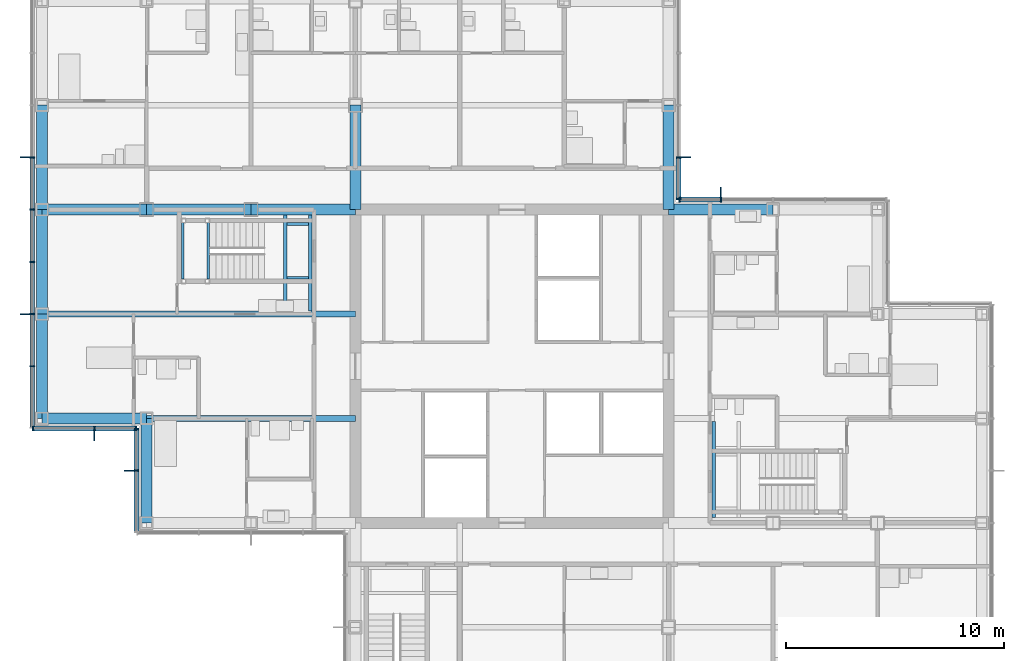
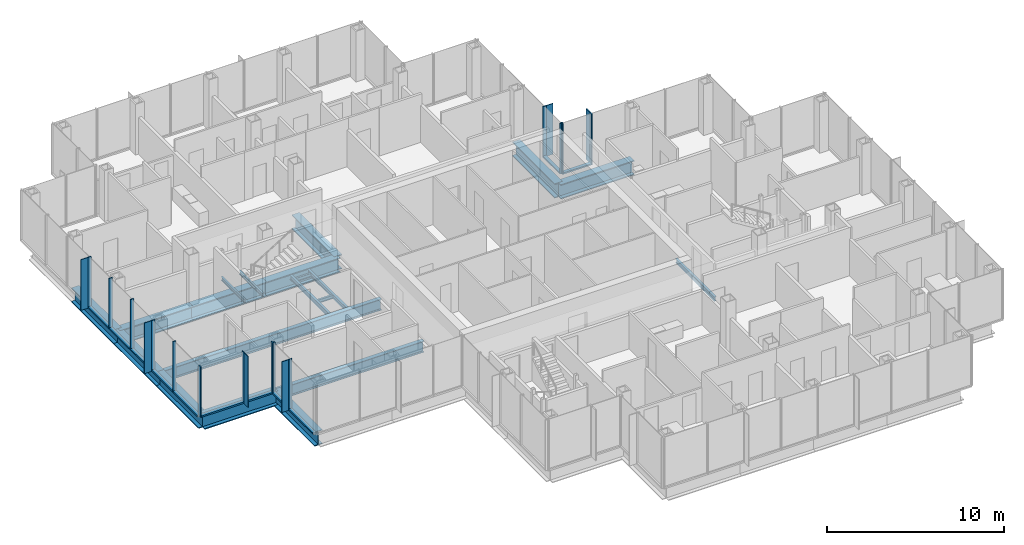
# One storey, part 7 of 20: 31 members, 20 beams, 5 elements without a shape of their own.
"""IFC4 building model written with IfcOpenShell, lengths in metres."""

from ifc_helpers import new_model, si_unit, direction, frame, origin, origin_2d, place, context, subcontext, project, spatial, rectangle, i_section, extrude, material, material_profile, profile_set, type_object, element, aggregate, save


model = new_model("IFC4")

# Units and contexts
model_context = context("Model", 3, precision=1e-05, world=origin(), true_north=direction((0.0, 1.0)))
body_context = subcontext(model_context, "Body", "Model", "MODEL_VIEW")
ifc_project = project(units=[si_unit("LENGTHUNIT", "METRE"), si_unit("AREAUNIT", "SQUARE_METRE"), si_unit("VOLUMEUNIT", "CUBIC_METRE"), si_unit("PLANEANGLEUNIT", "RADIAN"), si_unit("MASSUNIT", "GRAM", prefix="KILO")], contexts=[model_context])

# Site, building, storey
site_placement = place(None, origin())
site = spatial("IfcSite", under=ifc_project, at=site_placement, CompositionType="ELEMENT")
building_placement = place(site_placement, origin())
building = spatial("IfcBuilding", under=site, at=building_placement, Name="Kvirike Care Tower", CompositionType="ELEMENT")
storey_placement = place(building_placement, frame((0.0, 0.0, 119.0)))
storey = spatial("IfcBuildingStorey", under=building, at=storey_placement, Name="L32", CompositionType="ELEMENT", Elevation=119.0)

# Curtain wall, member
ifc_material_1 = material(Name="Anodised aluminium stick system", Category="aluminium")
curtain_wall_type = type_object("IfcCurtainWallType", Name="CW-B STICK CURTAIN WALL", PredefinedType="NOTDEFINED", material=ifc_material_1)
curtain_wall_1_placement = place(storey_placement, origin())
curtain_wall_1 = element("IfcCurtainWall", 1, at=curtain_wall_1_placement, inside=storey, type_object=curtain_wall_type, Name="Curtain wall L32 face 4", PredefinedType="NOTDEFINED")
ifc_material_2 = material(Name="Bronze anodised aluminium fin", Category="aluminium")
ifc_material_profile_1 = material_profile(ifc_material_2, rectangle(XDim=0.050048828125, YDim=0.449951171875, at=origin_2d()), Name="BRONZE FIN 450")
ifc_profile_set_1 = profile_set([ifc_material_profile_1], Name="Bronze anodised aluminium fin")
member_type_1 = type_object("IfcMemberType", Name="BRONZE FIN 450", PredefinedType="USERDEFINED", material=ifc_profile_set_1)
member_1_placement = place(storey_placement, frame((31.199951171875, 43.9951171875, 0.0), z_axis=(0.0, 0.0, 1.0), x_axis=(-1.0, 0.0, 0.0)))
member_1 = element("IfcMember", 2, at=member_1_placement, type_object=member_type_1, Name="Bronze fin L32 face 4.4", ObjectType="FIN", PredefinedType="USERDEFINED", context=body_context, shape_type="SweptSolid", body=[
    extrude(rectangle(XDim=0.050048828125, YDim=0.449951171875, at=origin_2d()), origin(), (0.0, 0.0, 1.0), 3.5),
])

curtain_wall_2_placement = place(storey_placement, origin())
curtain_wall_2 = element("IfcCurtainWall", 3, at=curtain_wall_2_placement, inside=storey, type_object=curtain_wall_type, Name="Curtain wall L32 face 5", PredefinedType="NOTDEFINED")
member_2_placement = place(storey_placement, frame((29.594970703125, 45.60009765625, 0.0), z_axis=(0.0, 0.0, 1.0), x_axis=(0.0, 1.0, 0.0)))
member_2 = element("IfcMember", 4, at=member_2_placement, type_object=member_type_1, Name="Bronze fin L32 face 5.2", ObjectType="FIN", PredefinedType="USERDEFINED", context=body_context, shape_type="SweptSolid", body=[
    extrude(rectangle(XDim=0.050048828125, YDim=0.449951171875, at=origin_2d()), origin(), (0.0, 0.0, 1.0), 3.5),
])

# Curtain wall, members
curtain_wall_3_placement = place(storey_placement, origin())
curtain_wall_3 = element("IfcCurtainWall", 5, at=curtain_wall_3_placement, inside=storey, type_object=curtain_wall_type, Name="Curtain wall L32 face 11", PredefinedType="NOTDEFINED")
member_3_placement = place(storey_placement, frame((-0.794921875, 45.60009765625, 0.0), z_axis=(0.0, 0.0, 1.0), x_axis=(0.0, -1.0, 0.0)))
member_3 = element("IfcMember", 6, at=member_3_placement, type_object=member_type_1, Name="Bronze fin L32 face 11.4", ObjectType="FIN", PredefinedType="USERDEFINED", context=body_context, shape_type="SweptSolid", body=[
    extrude(rectangle(XDim=0.050048828125, YDim=0.449951171875, at=origin_2d()), origin(), (0.0, 0.0, 1.0), 3.5),
])
member_4_placement = place(storey_placement, frame((-0.794921875, 38.39990234375, 0.0), z_axis=(0.0, 0.0, 1.0), x_axis=(0.0, -1.0, 0.0)))
member_4 = element("IfcMember", 7, at=member_4_placement, type_object=member_type_1, Name="Bronze fin L32 face 11.7", ObjectType="FIN", PredefinedType="USERDEFINED", context=body_context, shape_type="SweptSolid", body=[
    extrude(rectangle(XDim=0.050048828125, YDim=0.449951171875, at=origin_2d()), origin(), (0.0, 0.0, 1.0), 3.5),
])

# Curtain wall, member
curtain_wall_4_placement = place(storey_placement, origin())
curtain_wall_4 = element("IfcCurtainWall", 8, at=curtain_wall_4_placement, inside=storey, type_object=curtain_wall_type, Name="Curtain wall L32 face 12", PredefinedType="NOTDEFINED")
member_5_placement = place(storey_placement, frame((2.39990234375, 32.804931640625, 0.0), z_axis=(0.0, 0.0, 1.0), x_axis=(1.0, 0.0, 0.0)))
member_5 = element("IfcMember", 9, at=member_5_placement, type_object=member_type_1, Name="Bronze fin L32 face 12.2", ObjectType="FIN", PredefinedType="USERDEFINED", context=body_context, shape_type="SweptSolid", body=[
    extrude(rectangle(XDim=0.050048828125, YDim=0.449951171875, at=origin_2d()), origin(), (0.0, 0.0, 1.0), 3.5),
])

curtain_wall_5_placement = place(storey_placement, origin())
curtain_wall_5 = element("IfcCurtainWall", 10, at=curtain_wall_5_placement, inside=storey, type_object=curtain_wall_type, Name="Curtain wall L32 face 13", PredefinedType="NOTDEFINED")
member_6_placement = place(storey_placement, frame((4.0048828125, 31.199951171875, 0.0), z_axis=(0.0, 0.0, 1.0), x_axis=(0.0, -1.0, 0.0)))
member_6 = element("IfcMember", 11, at=member_6_placement, type_object=member_type_1, Name="Bronze fin L32 face 13.2", ObjectType="FIN", PredefinedType="USERDEFINED", context=body_context, shape_type="SweptSolid", body=[
    extrude(rectangle(XDim=0.050048828125, YDim=0.449951171875, at=origin_2d()), origin(), (0.0, 0.0, 1.0), 3.5),
])

# Member
ifc_material_3 = material(Name="Bronze anodised aluminium mullion", Category="aluminium")
ifc_material_profile_2 = material_profile(ifc_material_3, rectangle(XDim=0.06494140625, YDim=0.219970703125, at=origin_2d()), Name="CW-B MULLION 65x220")
ifc_profile_set_2 = profile_set([ifc_material_profile_2], Name="Bronze anodised aluminium mullion")
member_type_2 = type_object("IfcMemberType", Name="CW-B MULLION 65x220", PredefinedType="MULLION", material=ifc_profile_set_2)
member_7_placement = place(storey_placement, frame((31.199951171875, 43.659912109375, 0.0), z_axis=(0.0, 0.0, 1.0), x_axis=(-1.0, 0.0, 0.0)))
member_7 = element("IfcMember", 12, at=member_7_placement, type_object=member_type_2, Name="CW-B mullion L32 face 4.4", PredefinedType="MULLION", context=body_context, shape_type="SweptSolid", body=[
    extrude(rectangle(XDim=0.06494140625, YDim=0.219970703125, at=origin_2d()), origin(), (0.0, 0.0, 1.0), 3.5),
])

member_8_placement = place(storey_placement, frame((29.29248046875, 43.659912109375, 0.0), z_axis=(0.0, 0.0, 1.0), x_axis=(-1.0, 0.0, 0.0)))
member_8 = element("IfcMember", 13, at=member_8_placement, type_object=member_type_2, Name="CW-B mullion L32 face 4.5", PredefinedType="MULLION", context=body_context, shape_type="SweptSolid", body=[
    extrude(rectangle(XDim=0.06494140625, YDim=0.219970703125, at=origin_2d()), origin(), (0.0, 0.0, 1.0), 3.5),
])

member_9_placement = place(storey_placement, frame((29.260009765625, 43.6923828125, 0.0), z_axis=(0.0, 0.0, 1.0), x_axis=(0.0, 1.0, 0.0)))
member_9 = element("IfcMember", 14, at=member_9_placement, type_object=member_type_2, Name="CW-B mullion L32 face 5.1", PredefinedType="MULLION", context=body_context, shape_type="SweptSolid", body=[
    extrude(rectangle(XDim=0.06494140625, YDim=0.219970703125, at=origin_2d()), origin(), (0.0, 0.0, 1.0), 3.5),
])

member_10_placement = place(storey_placement, frame((29.260009765625, 45.60009765625, 0.0), z_axis=(0.0, 0.0, 1.0), x_axis=(0.0, 1.0, 0.0)))
member_10 = element("IfcMember", 15, at=member_10_placement, type_object=member_type_2, Name="CW-B mullion L32 face 5.2", PredefinedType="MULLION", context=body_context, shape_type="SweptSolid", body=[
    extrude(rectangle(XDim=0.06494140625, YDim=0.219970703125, at=origin_2d()), origin(), (0.0, 0.0, 1.0), 3.5),
])

member_11_placement = place(storey_placement, frame((-0.4599609375, 45.60009765625, 0.0), z_axis=(0.0, 0.0, 1.0), x_axis=(0.0, -1.0, 0.0)))
member_11 = element("IfcMember", 16, at=member_11_placement, type_object=member_type_2, Name="CW-B mullion L32 face 11.4", PredefinedType="MULLION", context=body_context, shape_type="SweptSolid", body=[
    extrude(rectangle(XDim=0.06494140625, YDim=0.219970703125, at=origin_2d()), origin(), (0.0, 0.0, 1.0), 3.5),
])

member_12_placement = place(storey_placement, frame((-0.4599609375, 43.199951171875, 0.0), z_axis=(0.0, 0.0, 1.0), x_axis=(0.0, -1.0, 0.0)))
member_12 = element("IfcMember", 17, at=member_12_placement, type_object=member_type_2, Name="CW-B mullion L32 face 11.5", PredefinedType="MULLION", context=body_context, shape_type="SweptSolid", body=[
    extrude(rectangle(XDim=0.06494140625, YDim=0.219970703125, at=origin_2d()), origin(), (0.0, 0.0, 1.0), 3.5),
])

member_13_placement = place(storey_placement, frame((-0.4599609375, 40.800048828125, 0.0), z_axis=(0.0, 0.0, 1.0), x_axis=(0.0, -1.0, 0.0)))
member_13 = element("IfcMember", 18, at=member_13_placement, type_object=member_type_2, Name="CW-B mullion L32 face 11.6", PredefinedType="MULLION", context=body_context, shape_type="SweptSolid", body=[
    extrude(rectangle(XDim=0.06494140625, YDim=0.219970703125, at=origin_2d()), origin(), (0.0, 0.0, 1.0), 3.5),
])

member_14_placement = place(storey_placement, frame((-0.4599609375, 38.39990234375, 0.0), z_axis=(0.0, 0.0, 1.0), x_axis=(0.0, -1.0, 0.0)))
member_14 = element("IfcMember", 19, at=member_14_placement, type_object=member_type_2, Name="CW-B mullion L32 face 11.7", PredefinedType="MULLION", context=body_context, shape_type="SweptSolid", body=[
    extrude(rectangle(XDim=0.06494140625, YDim=0.219970703125, at=origin_2d()), origin(), (0.0, 0.0, 1.0), 3.5),
])

member_15_placement = place(storey_placement, frame((-0.4599609375, 36.0, 0.0), z_axis=(0.0, 0.0, 1.0), x_axis=(0.0, -1.0, 0.0)))
member_15 = element("IfcMember", 20, at=member_15_placement, type_object=member_type_2, Name="CW-B mullion L32 face 11.8", PredefinedType="MULLION", context=body_context, shape_type="SweptSolid", body=[
    extrude(rectangle(XDim=0.06494140625, YDim=0.219970703125, at=origin_2d()), origin(), (0.0, 0.0, 1.0), 3.5),
])

member_16_placement = place(storey_placement, frame((-0.427490234375, 33.139892578125, 0.0), z_axis=(0.0, 0.0, 1.0), x_axis=(1.0, 0.0, 0.0)))
member_16 = element("IfcMember", 21, at=member_16_placement, type_object=member_type_2, Name="CW-B mullion L32 face 12.1", PredefinedType="MULLION", context=body_context, shape_type="SweptSolid", body=[
    extrude(rectangle(XDim=0.06494140625, YDim=0.219970703125, at=origin_2d()), origin(), (0.0, 0.0, 1.0), 3.5),
])

member_17_placement = place(storey_placement, frame((2.39990234375, 33.139892578125, 0.0), z_axis=(0.0, 0.0, 1.0), x_axis=(1.0, 0.0, 0.0)))
member_17 = element("IfcMember", 22, at=member_17_placement, type_object=member_type_2, Name="CW-B mullion L32 face 12.2", PredefinedType="MULLION", context=body_context, shape_type="SweptSolid", body=[
    extrude(rectangle(XDim=0.06494140625, YDim=0.219970703125, at=origin_2d()), origin(), (0.0, 0.0, 1.0), 3.5),
])

member_18_placement = place(storey_placement, frame((4.3076171875, 33.139892578125, 0.0), z_axis=(0.0, 0.0, 1.0), x_axis=(1.0, 0.0, 0.0)))
member_18 = element("IfcMember", 23, at=member_18_placement, type_object=member_type_2, Name="CW-B mullion L32 face 12.3", PredefinedType="MULLION", context=body_context, shape_type="SweptSolid", body=[
    extrude(rectangle(XDim=0.06494140625, YDim=0.219970703125, at=origin_2d()), origin(), (0.0, 0.0, 1.0), 3.5),
])

member_19_placement = place(storey_placement, frame((4.340087890625, 33.107421875, 0.0), z_axis=(0.0, 0.0, 1.0), x_axis=(0.0, -1.0, 0.0)))
member_19 = element("IfcMember", 24, at=member_19_placement, type_object=member_type_2, Name="CW-B mullion L32 face 13.1", PredefinedType="MULLION", context=body_context, shape_type="SweptSolid", body=[
    extrude(rectangle(XDim=0.06494140625, YDim=0.219970703125, at=origin_2d()), origin(), (0.0, 0.0, 1.0), 3.5),
])

member_20_placement = place(storey_placement, frame((4.340087890625, 31.199951171875, 0.0), z_axis=(0.0, 0.0, 1.0), x_axis=(0.0, -1.0, 0.0)))
member_20 = element("IfcMember", 25, at=member_20_placement, type_object=member_type_2, Name="CW-B mullion L32 face 13.2", PredefinedType="MULLION", context=body_context, shape_type="SweptSolid", body=[
    extrude(rectangle(XDim=0.06494140625, YDim=0.219970703125, at=origin_2d()), origin(), (0.0, 0.0, 1.0), 3.5),
])

ifc_material_4 = material(Name="Bronze anodised aluminium transom", Category="aluminium")
ifc_material_profile_3 = material_profile(ifc_material_4, rectangle(XDim=0.219970703125, YDim=0.10009765625, at=origin_2d()), Name="CW-B TRANSOM 220x100")
ifc_profile_set_3 = profile_set([ifc_material_profile_3], Name="Bronze anodised aluminium transom")
member_type_3 = type_object("IfcMemberType", Name="CW-B TRANSOM 220x100", PredefinedType="USERDEFINED", material=ifc_profile_set_3)
member_21_placement = place(storey_placement, frame((31.16748046875, 43.659912109375, 0.050048828125), z_axis=(-1.0, 0.0, 0.0), x_axis=(0.0, -1.0, 0.0)))
member_21 = element("IfcMember", 26, at=member_21_placement, type_object=member_type_3, Name="CW-B sill transom L32 face 4.4", ObjectType="TRANSOM", PredefinedType="USERDEFINED", context=body_context, shape_type="SweptSolid", body=[
    extrude(rectangle(XDim=0.219970703125, YDim=0.10009765625, at=origin_2d()), origin(), (0.0, 0.0, 1.0), 1.842529296875),
])

aggregate(curtain_wall_1, [member_7, member_1, member_8, member_21])

member_22_placement = place(storey_placement, frame((29.260009765625, 43.72509765625, 0.050048828125), z_axis=(0.0, 1.0, 0.0), x_axis=(-1.0, 0.0, 0.0)))
member_22 = element("IfcMember", 27, at=member_22_placement, type_object=member_type_3, Name="CW-B sill transom L32 face 5.1", ObjectType="TRANSOM", PredefinedType="USERDEFINED", context=body_context, shape_type="SweptSolid", body=[
    extrude(rectangle(XDim=0.219970703125, YDim=0.10009765625, at=origin_2d()), origin(), (0.0, 0.0, 1.0), 1.84228515625),
])

aggregate(curtain_wall_2, [member_9, member_10, member_2, member_22])

member_23_placement = place(storey_placement, frame((-0.4599609375, 45.5673828125, 0.050048828125), z_axis=(0.0, -1.0, 0.0), x_axis=(1.0, 0.0, 0.0)))
member_23 = element("IfcMember", 28, at=member_23_placement, type_object=member_type_3, Name="CW-B sill transom L32 face 11.4", ObjectType="TRANSOM", PredefinedType="USERDEFINED", context=body_context, shape_type="SweptSolid", body=[
    extrude(rectangle(XDim=0.219970703125, YDim=0.10009765625, at=origin_2d()), origin(), (0.0, 0.0, 1.0), 2.3349609375),
])

member_24_placement = place(storey_placement, frame((-0.4599609375, 43.16748046875, 0.050048828125), z_axis=(0.0, -1.0, 0.0), x_axis=(1.0, 0.0, 0.0)))
member_24 = element("IfcMember", 29, at=member_24_placement, type_object=member_type_3, Name="CW-B sill transom L32 face 11.5", ObjectType="TRANSOM", PredefinedType="USERDEFINED", context=body_context, shape_type="SweptSolid", body=[
    extrude(rectangle(XDim=0.219970703125, YDim=0.10009765625, at=origin_2d()), origin(), (0.0, 0.0, 1.0), 2.3349609375),
])

member_25_placement = place(storey_placement, frame((-0.4599609375, 40.767578125, 0.050048828125), z_axis=(0.0, -1.0, 0.0), x_axis=(1.0, 0.0, 0.0)))
member_25 = element("IfcMember", 30, at=member_25_placement, type_object=member_type_3, Name="CW-B sill transom L32 face 11.6", ObjectType="TRANSOM", PredefinedType="USERDEFINED", context=body_context, shape_type="SweptSolid", body=[
    extrude(rectangle(XDim=0.219970703125, YDim=0.10009765625, at=origin_2d()), origin(), (0.0, 0.0, 1.0), 2.3349609375),
])

member_26_placement = place(storey_placement, frame((-0.4599609375, 38.367431640625, 0.050048828125), z_axis=(0.0, -1.0, 0.0), x_axis=(1.0, 0.0, 0.0)))
member_26 = element("IfcMember", 31, at=member_26_placement, type_object=member_type_3, Name="CW-B sill transom L32 face 11.7", ObjectType="TRANSOM", PredefinedType="USERDEFINED", context=body_context, shape_type="SweptSolid", body=[
    extrude(rectangle(XDim=0.219970703125, YDim=0.10009765625, at=origin_2d()), origin(), (0.0, 0.0, 1.0), 2.3349609375),
])

member_27_placement = place(storey_placement, frame((-0.4599609375, 35.967529296875, 0.050048828125), z_axis=(0.0, -1.0, 0.0), x_axis=(1.0, 0.0, 0.0)))
member_27 = element("IfcMember", 32, at=member_27_placement, type_object=member_type_3, Name="CW-B sill transom L32 face 11.8", ObjectType="TRANSOM", PredefinedType="USERDEFINED", context=body_context, shape_type="SweptSolid", body=[
    extrude(rectangle(XDim=0.219970703125, YDim=0.10009765625, at=origin_2d()), origin(), (0.0, 0.0, 1.0), 2.762451171875),
])

aggregate(curtain_wall_3, [member_11, member_3, member_12, member_13, member_14, member_4, member_15, member_23, member_24, member_25, member_26, member_27])

member_28_placement = place(storey_placement, frame((-0.39501953125, 33.139892578125, 0.050048828125), z_axis=(1.0, 0.0, 0.0), x_axis=(0.0, 1.0, 0.0)))
member_28 = element("IfcMember", 33, at=member_28_placement, type_object=member_type_3, Name="CW-B sill transom L32 face 12.1", ObjectType="TRANSOM", PredefinedType="USERDEFINED", context=body_context, shape_type="SweptSolid", body=[
    extrude(rectangle(XDim=0.219970703125, YDim=0.10009765625, at=origin_2d()), origin(), (0.0, 0.0, 1.0), 2.762451171875),
])

member_29_placement = place(storey_placement, frame((2.4326171875, 33.139892578125, 0.050048828125), z_axis=(1.0, 0.0, 0.0), x_axis=(0.0, 1.0, 0.0)))
member_29 = element("IfcMember", 34, at=member_29_placement, type_object=member_type_3, Name="CW-B sill transom L32 face 12.2", ObjectType="TRANSOM", PredefinedType="USERDEFINED", context=body_context, shape_type="SweptSolid", body=[
    extrude(rectangle(XDim=0.219970703125, YDim=0.10009765625, at=origin_2d()), origin(), (0.0, 0.0, 1.0), 1.84228515625),
])

aggregate(curtain_wall_4, [member_16, member_17, member_5, member_18, member_28, member_29])

member_30_placement = place(storey_placement, frame((4.340087890625, 33.074951171875, 0.050048828125), z_axis=(0.0, -1.0, 0.0), x_axis=(1.0, 0.0, 0.0)))
member_30 = element("IfcMember", 35, at=member_30_placement, type_object=member_type_3, Name="CW-B sill transom L32 face 13.1", ObjectType="TRANSOM", PredefinedType="USERDEFINED", context=body_context, shape_type="SweptSolid", body=[
    extrude(rectangle(XDim=0.219970703125, YDim=0.10009765625, at=origin_2d()), origin(), (0.0, 0.0, 1.0), 1.842529296875),
])

member_31_placement = place(storey_placement, frame((4.340087890625, 31.16748046875, 0.050048828125), z_axis=(0.0, -1.0, 0.0), x_axis=(1.0, 0.0, 0.0)))
member_31 = element("IfcMember", 36, at=member_31_placement, type_object=member_type_3, Name="CW-B sill transom L32 face 13.2", ObjectType="TRANSOM", PredefinedType="USERDEFINED", context=body_context, shape_type="SweptSolid", body=[
    extrude(rectangle(XDim=0.219970703125, YDim=0.10009765625, at=origin_2d()), origin(), (0.0, 0.0, 1.0), 2.762451171875),
])

aggregate(curtain_wall_5, [member_19, member_20, member_6, member_30, member_31])

# Beams
ifc_material_5 = material(Name="Steel S355", Category="steel")
ifc_material_profile_4 = material_profile(ifc_material_5, i_section(OverallWidth=0.26806640625, OverallDepth=0.77001953125, WebThickness=0.015625, FlangeThickness=0.025390625, FilletRadius=0.01708984375, at=origin_2d()), Name="IPE 750x196")
ifc_profile_set_4 = profile_set([ifc_material_profile_4], Name="Steel S355")
beam_type_1 = type_object("IfcBeamType", Name="FLOOR BEAM IPE 750x196", PredefinedType="BEAM", material=ifc_profile_set_4)
beam_1_placement = place(storey_placement, frame((4.800048828125, 33.60009765625, -0.554931640625), z_axis=(1.0, 0.0, 0.0), x_axis=(0.0, 1.0, 0.0)))
element("IfcBeam", 37, at=beam_1_placement, inside=storey, type_object=beam_type_1, Name="Floor Beam H4-H6 L32", PredefinedType="BEAM", context=body_context, shape_type="SweptSolid", body=[
    extrude(i_section(OverallWidth=0.26806640625, OverallDepth=0.77001953125, WebThickness=0.015625, FlangeThickness=0.025390625, FilletRadius=0.01708984375, at=origin_2d()), origin(), (0.0, 0.0, 1.0), 9.599853515625),
])
beam_2_placement = place(storey_placement, frame((0.0, 38.39990234375, -0.554931640625), z_axis=(1.0, 0.0, 0.0), x_axis=(0.0, 1.0, 0.0)))
element("IfcBeam", 38, at=beam_2_placement, inside=storey, type_object=beam_type_1, Name="Floor Beam J3-J6 L32", PredefinedType="BEAM", context=body_context, shape_type="SweptSolid", body=[
    extrude(i_section(OverallWidth=0.26806640625, OverallDepth=0.77001953125, WebThickness=0.015625, FlangeThickness=0.025390625, FilletRadius=0.01708984375, at=origin_2d()), origin(), (0.0, 0.0, 1.0), 14.39990234375),
])
ifc_material_6 = material(Name="Steel S355", Category="steel")
ifc_material_profile_5 = material_profile(ifc_material_6, i_section(OverallWidth=0.5, OverallDepth=1.0, WebThickness=0.030029296875, FlangeThickness=0.06005859375, at=origin_2d()), Name="PG 1000x500x30x60")
ifc_profile_set_5 = profile_set([ifc_material_profile_5], Name="Steel S355")
beam_type_2 = type_object("IfcBeamType", Name="FRAME BEAM PG 1000x500x30x60", PredefinedType="BEAM", material=ifc_profile_set_5)
for number, where, z_axis, x_axis, name in (
    (39, (0.0, 43.199951171875, -0.669921875), (1.0, 0.0, 0.0), (0.0, 1.0, 0.0), "Frame Beam K3-K4 L32"),
    (40, (4.800048828125, 43.199951171875, -0.669921875), (1.0, 0.0, 0.0), (0.0, 1.0, 0.0), "Frame Beam K4-K5 L32"),
):
    element("IfcBeam", number, at=place(storey_placement, frame(where, z_axis=z_axis, x_axis=x_axis)), inside=storey, type_object=beam_type_2, Name=name, PredefinedType="BEAM", context=body_context, shape_type="SweptSolid", body=[
        extrude(i_section(OverallWidth=0.5, OverallDepth=1.0, WebThickness=0.030029296875, FlangeThickness=0.06005859375, at=origin_2d()), origin(), (0.0, 0.0, 1.0), 4.800048828125),
    ])
beam_3_placement = place(storey_placement, frame((9.60009765625, 43.199951171875, -0.669921875), z_axis=(1.0, 0.0, 0.0), x_axis=(0.0, 1.0, 0.0)))
element("IfcBeam", 41, at=beam_3_placement, inside=storey, type_object=beam_type_2, Name="Frame Beam K5-K6 L32", PredefinedType="BEAM", context=body_context, shape_type="SweptSolid", body=[
    extrude(i_section(OverallWidth=0.5, OverallDepth=1.0, WebThickness=0.030029296875, FlangeThickness=0.06005859375, at=origin_2d()), origin(), (0.0, 0.0, 1.0), 4.7998046875),
])
beam_4_placement = place(storey_placement, frame((14.39990234375, 43.199951171875, -0.669921875), z_axis=(0.0, 1.0, 0.0), x_axis=(-1.0, 0.0, 0.0)))
element("IfcBeam", 42, at=beam_4_placement, inside=storey, type_object=beam_type_2, Name="Frame Beam K6-L6 L32", PredefinedType="BEAM", context=body_context, shape_type="SweptSolid", body=[
    extrude(i_section(OverallWidth=0.5, OverallDepth=1.0, WebThickness=0.030029296875, FlangeThickness=0.06005859375, at=origin_2d()), origin(), (0.0, 0.0, 1.0), 4.800048828125),
])
ifc_material_7 = material(Name="Steel S355", Category="steel")
ifc_material_profile_6 = material_profile(ifc_material_7, i_section(OverallWidth=0.5, OverallDepth=1.0, WebThickness=0.030029296875, FlangeThickness=0.06005859375, at=origin_2d()), Name="PG 1000x500x30x60")
ifc_profile_set_6 = profile_set([ifc_material_profile_6], Name="Steel S355")
beam_type_3 = type_object("IfcBeamType", Name="SPANDREL PG 1000x500x30x60", PredefinedType="SPANDREL", material=ifc_profile_set_6)
for number, where, z_axis, x_axis, name in (
    (43, (0.0, 33.60009765625, -0.669921875), (1.0, 0.0, 0.0), (0.0, 1.0, 0.0), "Spandrel H3-H4 L32"),
    (44, (28.800048828125, 43.199951171875, -0.669921875), (1.0, 0.0, 0.0), (0.0, 1.0, 0.0), "Spandrel K9-K10 L32"),
):
    element("IfcBeam", number, at=place(storey_placement, frame(where, z_axis=z_axis, x_axis=x_axis)), inside=storey, type_object=beam_type_3, Name=name, PredefinedType="SPANDREL", context=body_context, shape_type="SweptSolid", body=[
        extrude(i_section(OverallWidth=0.5, OverallDepth=1.0, WebThickness=0.030029296875, FlangeThickness=0.06005859375, at=origin_2d()), origin(), (0.0, 0.0, 1.0), 4.800048828125),
    ])
beam_5_placement = place(storey_placement, frame((0.0, 33.60009765625, -0.669921875), z_axis=(0.0, 1.0, 0.0), x_axis=(-1.0, 0.0, 0.0)))
element("IfcBeam", 45, at=beam_5_placement, inside=storey, type_object=beam_type_3, Name="Spandrel H3-J3 L32", PredefinedType="SPANDREL", context=body_context, shape_type="SweptSolid", body=[
    extrude(i_section(OverallWidth=0.5, OverallDepth=1.0, WebThickness=0.030029296875, FlangeThickness=0.06005859375, at=origin_2d()), origin(), (0.0, 0.0, 1.0), 4.7998046875),
])
for number, where, z_axis, x_axis, name in (
    (46, (0.0, 38.39990234375, -0.669921875), (0.0, 1.0, 0.0), (-1.0, 0.0, 0.0), "Spandrel J3-K3 L32"),
    (47, (0.0, 43.199951171875, -0.669921875), (0.0, 1.0, 0.0), (-1.0, 0.0, 0.0), "Spandrel K3-L3 L32"),
    (48, (4.800048828125, 28.800048828125, -0.669921875), (0.0, 1.0, 0.0), (-1.0, 0.0, 0.0), "Spandrel G4-H4 L32"),
    (49, (28.800048828125, 43.199951171875, -0.669921875), (0.0, 1.0, 0.0), (-1.0, 0.0, 0.0), "Spandrel K9-L9 L32"),
):
    element("IfcBeam", number, at=place(storey_placement, frame(where, z_axis=z_axis, x_axis=x_axis)), inside=storey, type_object=beam_type_3, Name=name, PredefinedType="SPANDREL", context=body_context, shape_type="SweptSolid", body=[
        extrude(i_section(OverallWidth=0.5, OverallDepth=1.0, WebThickness=0.030029296875, FlangeThickness=0.06005859375, at=origin_2d()), origin(), (0.0, 0.0, 1.0), 4.800048828125),
    ])
ifc_material_8 = material(Name="Steel S355", Category="steel")
ifc_material_profile_7 = material_profile(ifc_material_8, i_section(OverallWidth=0.1201171875, OverallDepth=0.239990234375, WebThickness=0.006103515625, FlangeThickness=0.009765625, FilletRadius=0.014892578125, at=origin_2d()), Name="IPE 240")
ifc_profile_set_7 = profile_set([ifc_material_profile_7], Name="Steel S355")
beam_type_4 = type_object("IfcBeamType", Name="STAIR LANDING BEAM IPE 240", PredefinedType="BEAM", material=ifc_profile_set_7)
for number, where, z_axis, x_axis, name in (
    (50, (6.4599609375, 42.60009765625, 1.429931640625), (0.0, -1.0, 0.0), (1.0, 0.0, 0.0), "Stair 1 landing beam back L32"),
    (51, (7.639892578125, 42.60009765625, 1.429931640625), (0.0, -1.0, 0.0), (1.0, 0.0, 0.0), "Stair 1 landing beam front L32"),
):
    element("IfcBeam", number, at=place(storey_placement, frame(where, z_axis=z_axis, x_axis=x_axis)), inside=storey, type_object=beam_type_4, Name=name, PredefinedType="BEAM", context=body_context, shape_type="SweptSolid", body=[
        extrude(i_section(OverallWidth=0.1201171875, OverallDepth=0.239990234375, WebThickness=0.006103515625, FlangeThickness=0.009765625, FilletRadius=0.014892578125, at=origin_2d()), origin(), (0.0, 0.0, 1.0), 2.60009765625),
    ])
for number, where, z_axis, x_axis, name in (
    (52, (11.25, 42.5400390625, -0.320068359375), (1.0, 0.0, 0.0), (0.0, 1.0, 0.0), "Stair 1 landing edge beam 1 L32"),
    (53, (11.25, 40.06005859375, -0.320068359375), (1.0, 0.0, 0.0), (0.0, 1.0, 0.0), "Stair 1 landing edge beam 2 L32"),
):
    element("IfcBeam", number, at=place(storey_placement, frame(where, z_axis=z_axis, x_axis=x_axis)), inside=storey, type_object=beam_type_4, Name=name, PredefinedType="BEAM", context=body_context, shape_type="SweptSolid", body=[
        extrude(i_section(OverallWidth=0.1201171875, OverallDepth=0.239990234375, WebThickness=0.006103515625, FlangeThickness=0.009765625, FilletRadius=0.014892578125, at=origin_2d()), origin(), (0.0, 0.0, 1.0), 1.0),
    ])
ifc_material_9 = material(Name="Steel S355", Category="steel")
ifc_material_profile_8 = material_profile(ifc_material_9, i_section(OverallWidth=0.14990234375, OverallDepth=0.300048828125, WebThickness=0.007080078125, FlangeThickness=0.0107421875, FilletRadius=0.014892578125, at=origin_2d()), Name="IPE 300")
ifc_profile_set_8 = profile_set([ifc_material_profile_8], Name="Steel S355")
beam_type_5 = type_object("IfcBeamType", Name="STAIR TRIMMER IPE 300", PredefinedType="BEAM", material=ifc_profile_set_8)
for number, where, z_axis, x_axis, name in (
    (54, (11.175048828125, 42.949951171875, -0.35009765625), (0.0, -1.0, 0.0), (1.0, 0.0, 0.0), "Stair 1 trimmer 1 L32"),
    (55, (12.324951171875, 42.949951171875, -0.35009765625), (0.0, -1.0, 0.0), (1.0, 0.0, 0.0), "Stair 1 trimmer 2 L32"),
    (56, (30.875, 29.050048828125, -0.35009765625), (0.0, 1.0, 0.0), (-1.0, 0.0, 0.0), "Stair 2 trimmer 2 L32"),
):
    element("IfcBeam", number, at=place(storey_placement, frame(where, z_axis=z_axis, x_axis=x_axis)), inside=storey, type_object=beam_type_5, Name=name, PredefinedType="BEAM", context=body_context, shape_type="SweptSolid", body=[
        extrude(i_section(OverallWidth=0.14990234375, OverallDepth=0.300048828125, WebThickness=0.007080078125, FlangeThickness=0.0107421875, FilletRadius=0.014892578125, at=origin_2d()), origin(), (0.0, 0.0, 1.0), 4.416015625),
    ])

save(model, "model.ifc")
